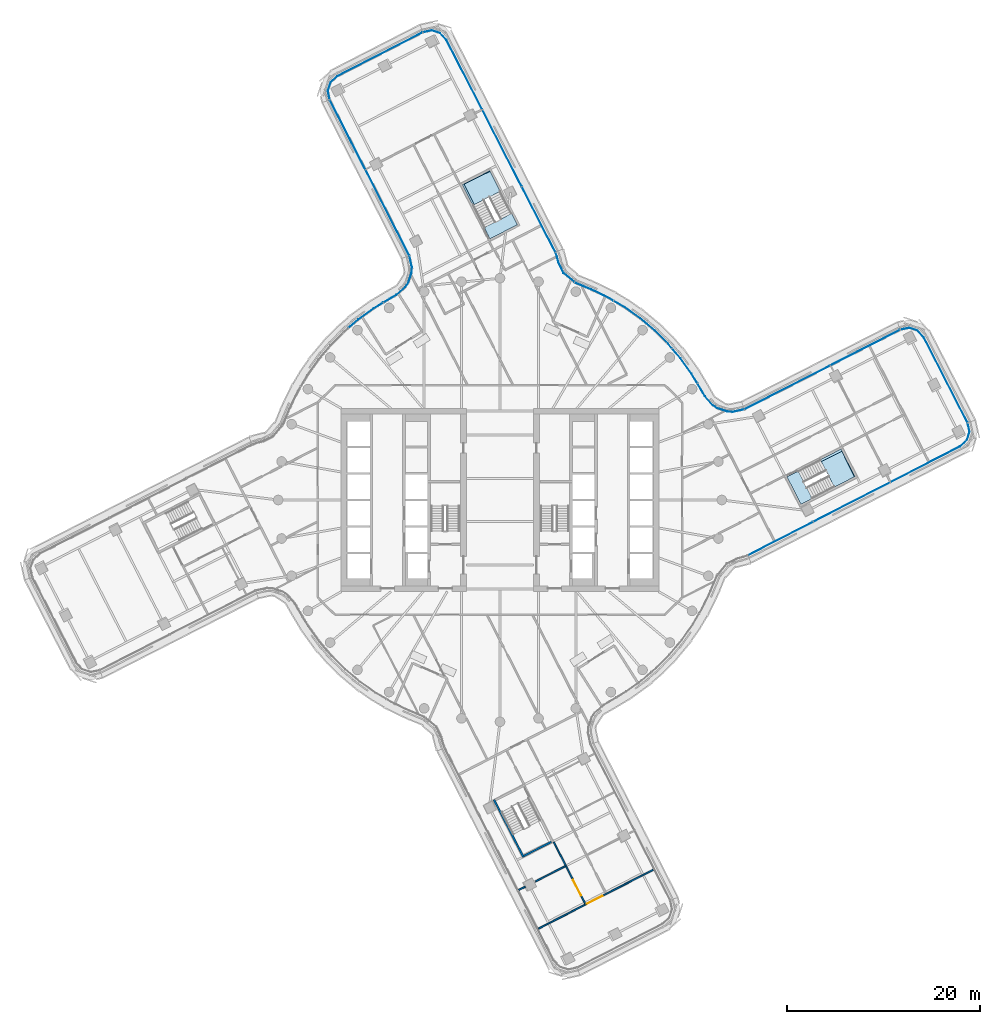
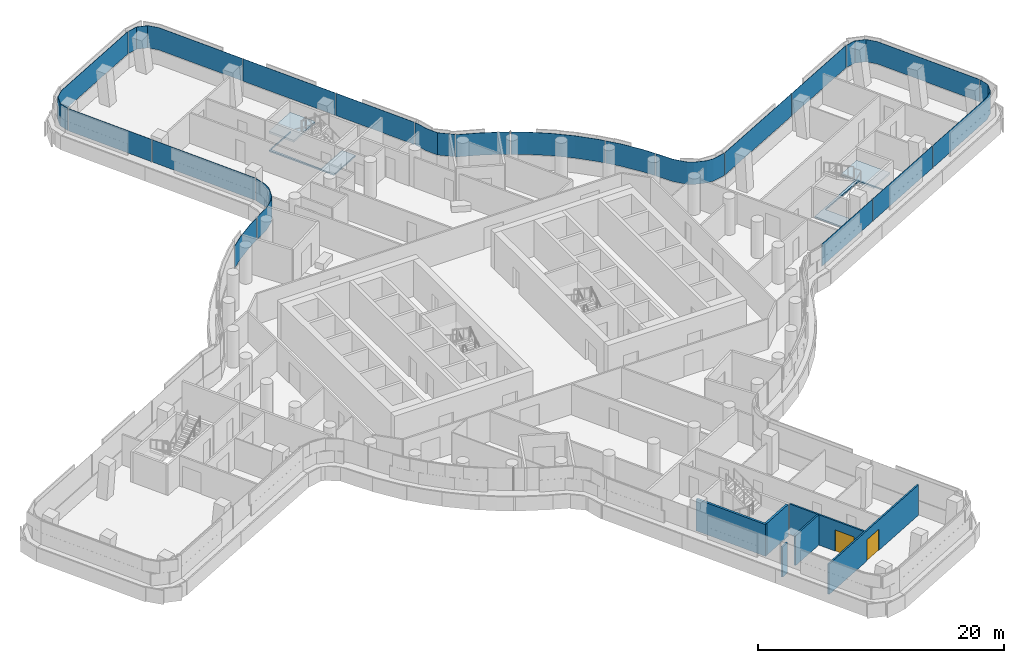
# One storey, part 21 of 37: 19 plates, 6 walls, 4 slabs, 2 doors, 2 openings, 10 elements without a shape of their own.
"""IFC4 building model written with IfcOpenShell, lengths in metres."""

from ifc_helpers import new_model, si_unit, direction, frame, frame_2d, origin, place, context, subcontext, project, spatial, polyline, rectangle, outline, extrude, material, layer, layer_set, type_object, element, fill, aggregate, save


model = new_model("IFC4")

# Units and contexts
model_context = context("Model", 3, precision=1e-05, world=origin(), true_north=direction((0.0, 1.0)))
body_context = subcontext(model_context, "Body", "Model", "MODEL_VIEW")
ifc_project = project(units=[si_unit("LENGTHUNIT", "METRE"), si_unit("AREAUNIT", "SQUARE_METRE"), si_unit("VOLUMEUNIT", "CUBIC_METRE"), si_unit("PLANEANGLEUNIT", "RADIAN"), si_unit("MASSUNIT", "GRAM", prefix="KILO")], contexts=[model_context])

# Site, building, storey
site_placement = place(None, origin())
site = spatial("IfcSite", under=ifc_project, at=site_placement, CompositionType="ELEMENT")
building_placement = place(site_placement, origin())
building = spatial("IfcBuilding", under=site, at=building_placement, Name="Tamarind Cross Interchange Tower", CompositionType="ELEMENT")
storey_placement = place(building_placement, frame((0.0, 0.0, 133.0)))
storey = spatial("IfcBuildingStorey", under=building, at=storey_placement, Name="L32", CompositionType="ELEMENT", Elevation=133.0)

# Slabs
ifc_material_1 = material(Name="Concrete C35", Category="concrete")
ifc_layer_1 = layer(ifc_material_1, 0.139892578125)
ifc_layer_set_1 = layer_set([ifc_layer_1], Name="Concrete C35")
slab_type_1 = type_object("IfcSlabType", Name="Composite slab 140 Concrete C35", PredefinedType="FLOOR", material=ifc_layer_set_1)
slab_1_placement = place(storey_placement, frame((0.0, 0.0, -0.139892578125)))
element("IfcSlab", 1, at=slab_1_placement, inside=storey, type_object=slab_type_1, Name="Floor slab L32", PredefinedType="FLOOR", context=body_context, shape_type="SweptSolid", body=[
    extrude(outline(polyline([(-1.037109375, 27.087646484375), (1.809814453125, 28.548583984375), (1.2109375, 29.7158203125), (-1.53369140625, 28.3076171875), (-3.7177734375, 32.76220703125), (-1.029052734375, 34.080810546875), (-1.06640625, 34.15380859375), (-3.91357421875, 32.692626953125), (-1.037109375, 27.087646484375)])), origin(), (0.0, 0.0, 1.0), 0.139892578125),
])
slab_2_placement = place(storey_placement, frame((0.0, 0.0, -0.139892578125)))
element("IfcSlab", 2, at=slab_2_placement, inside=storey, type_object=slab_type_1, Name="Floor slab L32", PredefinedType="FLOOR", context=body_context, shape_type="SweptSolid", body=[
    extrude(outline(polyline([(29.756591796875, 2.40673828125), (31.2177734375, -0.440185546875), (32.311767578125, 0.12109375), (32.385009765625, 0.15869140625), (31.001708984375, 2.8544921875), (35.4560546875, 5.03857421875), (36.750244140625, 2.39892578125), (36.82275390625, 2.43603515625), (35.36181640625, 5.283203125), (29.756591796875, 2.40673828125)])), origin(), (0.0, 0.0, 1.0), 0.139892578125),
])

# Stair, slab
ifc_material_2 = material(Name="Exit stair")
stair_type = type_object("IfcStairType", Name="Exit stair", PredefinedType="HALF_TURN_STAIR", material=ifc_material_2)
stair_1_placement = place(storey_placement, origin())
stair_1 = element("IfcStair", 3, at=stair_1_placement, inside=storey, type_object=stair_type, Name="L32 exit stair ST3", PredefinedType="HALF_TURN_STAIR")
ifc_material_3 = material(Name="Concrete C40", Category="concrete")
ifc_layer_2 = layer(ifc_material_3, 0.199951171875)
ifc_layer_set_2 = layer_set([ifc_layer_2], Name="Concrete C40")
slab_type_2 = type_object("IfcSlabType", Name="Stair landing", PredefinedType="LANDING", material=ifc_layer_set_2)
slab_3_placement = place(storey_placement, frame((0.0, 0.0, 1.675048828125)))
slab_3 = element("IfcSlab", 4, at=slab_3_placement, type_object=slab_type_2, Name="ST3 landing 1", PredefinedType="LANDING", context=body_context, shape_type="SweptSolid", body=[
    extrude(outline(polyline([(34.6767578125, 1.3349609375), (36.82275390625, 2.43603515625), (35.36181640625, 5.283203125), (33.2158203125, 4.181884765625), (34.6767578125, 1.3349609375)])), origin(), (0.0, 0.0, 1.0), 0.199951171875),
])
aggregate(stair_1, [slab_3])

stair_2_placement = place(storey_placement, origin())
stair_2 = element("IfcStair", 5, at=stair_2_placement, inside=storey, type_object=stair_type, Name="L32 exit stair ST4", PredefinedType="HALF_TURN_STAIR")
slab_4_placement = place(storey_placement, frame((0.0, 0.0, 1.675048828125)))
slab_4 = element("IfcSlab", 6, at=slab_4_placement, type_object=slab_type_2, Name="ST4 landing 1", PredefinedType="LANDING", context=body_context, shape_type="SweptSolid", body=[
    extrude(outline(polyline([(0.03466796875, 32.0078125), (-1.06640625, 34.15380859375), (-3.91357421875, 32.692626953125), (-2.812255859375, 30.546875), (0.03466796875, 32.0078125)])), origin(), (0.0, 0.0, 1.0), 0.199951171875),
])
aggregate(stair_2, [slab_4])

# Curtain wall, plates
ifc_material_4 = material(Name="Aluminium 6063-T6", Category="aluminium")
ifc_layer_3 = layer(ifc_material_4, 0.159912109375)
ifc_layer_set_3 = layer_set([ifc_layer_3], Name="Aluminium 6063-T6")
curtain_wall_type_1 = type_object("IfcCurtainWallType", Name="Office curtain wall, 9.0 m bays", PredefinedType="NOTDEFINED", material=ifc_layer_set_3)
curtain_wall_1_placement = place(storey_placement, origin())
curtain_wall_1 = element("IfcCurtainWall", 7, at=curtain_wall_1_placement, inside=storey, type_object=curtain_wall_type_1, Name="CWS-L32-07", PredefinedType="NOTDEFINED")
ifc_material_5 = material(Name="Laminated low-e glass 8+1.52+8", Category="glass")
ifc_layer_4 = layer(ifc_material_5, 0.028076171875)
ifc_layer_set_4 = layer_set([ifc_layer_4], Name="Laminated low-e glass 8+1.52+8")
plate_type_1 = type_object("IfcPlateType", Name="Vision panel CW1", PredefinedType="CURTAIN_PANEL", material=ifc_layer_set_4)
plate_1_placement = place(storey_placement, frame((0.0, 0.0, 1.39990234375)))
plate_1 = element("IfcPlate", 8, at=plate_1_placement, type_object=plate_type_1, Name="CWP-L32-07-00", PredefinedType="CURTAIN_PANEL", context=body_context, shape_type="SweptSolid", body=[
    extrude(outline(polyline([(25.72216796875, -5.71728515625), (32.456787109375, -2.261474609375), (32.469482421875, -2.286376953125), (25.73486328125, -5.7421875), (25.72216796875, -5.71728515625)])), origin(), (0.0, 0.0, 1.0), 2.210205078125),
])
plate_2_placement = place(storey_placement, frame((0.0, 0.0, 1.39990234375)))
plate_2 = element("IfcPlate", 9, at=plate_2_placement, type_object=plate_type_1, Name="CWP-L32-07-01", PredefinedType="CURTAIN_PANEL", context=body_context, shape_type="SweptSolid", body=[
    extrude(outline(polyline([(32.51025390625, -2.23388671875), (40.451171875, 1.841064453125), (40.464111328125, 1.816162109375), (32.52294921875, -2.2587890625), (32.51025390625, -2.23388671875)])), origin(), (0.0, 0.0, 1.0), 2.210205078125),
])
plate_3_placement = place(storey_placement, frame((0.0, 0.0, 1.39990234375)))
plate_3 = element("IfcPlate", 10, at=plate_3_placement, type_object=plate_type_1, Name="CWP-L32-07-02", PredefinedType="CURTAIN_PANEL", context=body_context, shape_type="SweptSolid", body=[
    extrude(outline(polyline([(40.504638671875, 1.868408203125), (47.699951171875, 5.560546875), (48.40380859375, 6.1982421875), (48.685791015625, 7.074462890625), (48.491455078125, 7.975341796875), (48.51904296875, 7.9814453125), (48.714599609375, 7.072998046875), (48.42822265625, 6.182373046875), (47.7158203125, 5.537353515625), (40.517333984375, 1.843505859375), (40.504638671875, 1.868408203125)])), origin(), (0.0, 0.0, 1.0), 2.210205078125),
])
aggregate(curtain_wall_1, [plate_1, plate_2, plate_3])

# Curtain wall, plate
curtain_wall_2_placement = place(storey_placement, origin())
curtain_wall_2 = element("IfcCurtainWall", 11, at=curtain_wall_2_placement, inside=storey, type_object=curtain_wall_type_1, Name="CWS-L32-08", PredefinedType="NOTDEFINED")
plate_4_placement = place(storey_placement, frame((0.0, 0.0, 1.39990234375)))
plate_4 = element("IfcPlate", 12, at=plate_4_placement, type_object=plate_type_1, Name="CWP-L32-08-00", PredefinedType="CURTAIN_PANEL", context=body_context, shape_type="SweptSolid", body=[
    extrude(outline(polyline([(48.47265625, 8.028076171875), (43.94580078125, 16.849853515625), (43.308349609375, 17.5537109375), (42.431884765625, 17.835693359375), (41.53076171875, 17.6416015625), (41.52490234375, 17.6689453125), (42.433349609375, 17.86474609375), (43.323974609375, 17.578125), (43.968994140625, 16.865966796875), (48.497802734375, 8.040771484375), (48.47265625, 8.028076171875)])), origin(), (0.0, 0.0, 1.0), 2.210205078125),
])
aggregate(curtain_wall_2, [plate_4])

# Curtain wall, plates
curtain_wall_3_placement = place(storey_placement, origin())
curtain_wall_3 = element("IfcCurtainWall", 13, at=curtain_wall_3_placement, inside=storey, type_object=curtain_wall_type_1, Name="CWS-L32-09", PredefinedType="NOTDEFINED")
plate_5_placement = place(storey_placement, frame((0.0, 0.0, 1.39990234375)))
plate_5 = element("IfcPlate", 14, at=plate_5_placement, type_object=plate_type_1, Name="CWP-L32-09-00", PredefinedType="CURTAIN_PANEL", context=body_context, shape_type="SweptSolid", body=[
    extrude(outline(polyline([(41.478271484375, 17.622802734375), (34.289306640625, 13.951171875), (34.276611328125, 13.97607421875), (41.465576171875, 17.647705078125), (41.478271484375, 17.622802734375)])), origin(), (0.0, 0.0, 1.0), 2.210205078125),
])
plate_6_placement = place(storey_placement, frame((0.0, 0.0, 1.39990234375)))
plate_6 = element("IfcPlate", 15, at=plate_6_placement, type_object=plate_type_1, Name="CWP-L32-09-01", PredefinedType="CURTAIN_PANEL", context=body_context, shape_type="SweptSolid", body=[
    extrude(outline(polyline([(34.236083984375, 13.923828125), (25.367919921875, 9.39453125), (25.35498046875, 9.41943359375), (34.22314453125, 13.94873046875), (34.236083984375, 13.923828125)])), origin(), (0.0, 0.0, 1.0), 2.210205078125),
])
aggregate(curtain_wall_3, [plate_5, plate_6])

curtain_wall_4_placement = place(storey_placement, origin())
curtain_wall_4 = element("IfcCurtainWall", 16, at=curtain_wall_4_placement, inside=storey, type_object=curtain_wall_type_1, Name="CWS-L32-11", PredefinedType="NOTDEFINED")
plate_7_placement = place(storey_placement, frame((0.0, 0.0, 1.39990234375)))
plate_7 = element("IfcPlate", 17, at=plate_7_placement, type_object=plate_type_1, Name="CWP-L32-11-00", PredefinedType="CURTAIN_PANEL", context=body_context, shape_type="SweptSolid", body=[
    extrude(outline(polyline([(5.71728515625, 25.72216796875), (2.261474609375, 32.456787109375), (2.286376953125, 32.469482421875), (5.7421875, 25.73486328125), (5.71728515625, 25.72216796875)])), origin(), (0.0, 0.0, 1.0), 2.210205078125),
])
plate_8_placement = place(storey_placement, frame((0.0, 0.0, 1.39990234375)))
plate_8 = element("IfcPlate", 18, at=plate_8_placement, type_object=plate_type_1, Name="CWP-L32-11-01", PredefinedType="CURTAIN_PANEL", context=body_context, shape_type="SweptSolid", body=[
    extrude(outline(polyline([(2.23388671875, 32.51025390625), (-1.841064453125, 40.451171875), (-1.816162109375, 40.464111328125), (2.2587890625, 32.52294921875), (2.23388671875, 32.51025390625)])), origin(), (0.0, 0.0, 1.0), 2.210205078125),
])
plate_9_placement = place(storey_placement, frame((0.0, 0.0, 1.39990234375)))
plate_9 = element("IfcPlate", 19, at=plate_9_placement, type_object=plate_type_1, Name="CWP-L32-11-02", PredefinedType="CURTAIN_PANEL", context=body_context, shape_type="SweptSolid", body=[
    extrude(outline(polyline([(-1.868408203125, 40.504638671875), (-5.560546875, 47.699951171875), (-6.1982421875, 48.40380859375), (-7.074462890625, 48.685791015625), (-7.975341796875, 48.491455078125), (-7.9814453125, 48.51904296875), (-7.072998046875, 48.714599609375), (-6.182373046875, 48.42822265625), (-5.537353515625, 47.7158203125), (-1.843505859375, 40.517333984375), (-1.868408203125, 40.504638671875)])), origin(), (0.0, 0.0, 1.0), 2.210205078125),
])
aggregate(curtain_wall_4, [plate_7, plate_8, plate_9])

# Curtain wall, plate
curtain_wall_5_placement = place(storey_placement, origin())
curtain_wall_5 = element("IfcCurtainWall", 20, at=curtain_wall_5_placement, inside=storey, type_object=curtain_wall_type_1, Name="CWS-L32-12", PredefinedType="NOTDEFINED")
plate_10_placement = place(storey_placement, frame((0.0, 0.0, 1.39990234375)))
plate_10 = element("IfcPlate", 21, at=plate_10_placement, type_object=plate_type_1, Name="CWP-L32-12-00", PredefinedType="CURTAIN_PANEL", context=body_context, shape_type="SweptSolid", body=[
    extrude(outline(polyline([(-8.028076171875, 48.47265625), (-16.849853515625, 43.94580078125), (-17.5537109375, 43.308349609375), (-17.835693359375, 42.431884765625), (-17.6416015625, 41.53076171875), (-17.6689453125, 41.52490234375), (-17.86474609375, 42.433349609375), (-17.578125, 43.323974609375), (-16.865966796875, 43.968994140625), (-8.040771484375, 48.497802734375), (-8.028076171875, 48.47265625)])), origin(), (0.0, 0.0, 1.0), 2.210205078125),
])
aggregate(curtain_wall_5, [plate_10])

# Curtain wall, plates
curtain_wall_6_placement = place(storey_placement, origin())
curtain_wall_6 = element("IfcCurtainWall", 22, at=curtain_wall_6_placement, inside=storey, type_object=curtain_wall_type_1, Name="CWS-L32-13", PredefinedType="NOTDEFINED")
plate_11_placement = place(storey_placement, frame((0.0, 0.0, 1.39990234375)))
plate_11 = element("IfcPlate", 23, at=plate_11_placement, type_object=plate_type_1, Name="CWP-L32-13-00", PredefinedType="CURTAIN_PANEL", context=body_context, shape_type="SweptSolid", body=[
    extrude(outline(polyline([(-17.622802734375, 41.478271484375), (-13.951171875, 34.289306640625), (-13.97607421875, 34.276611328125), (-17.647705078125, 41.465576171875), (-17.622802734375, 41.478271484375)])), origin(), (0.0, 0.0, 1.0), 2.210205078125),
])
plate_12_placement = place(storey_placement, frame((0.0, 0.0, 1.39990234375)))
plate_12 = element("IfcPlate", 24, at=plate_12_placement, type_object=plate_type_1, Name="CWP-L32-13-01", PredefinedType="CURTAIN_PANEL", context=body_context, shape_type="SweptSolid", body=[
    extrude(outline(polyline([(-13.923828125, 34.236083984375), (-9.39453125, 25.367919921875), (-9.41943359375, 25.35498046875), (-13.94873046875, 34.22314453125), (-13.923828125, 34.236083984375)])), origin(), (0.0, 0.0, 1.0), 2.210205078125),
])
aggregate(curtain_wall_6, [plate_11, plate_12])

ifc_layer_5 = layer(ifc_material_4, 0.14990234375)
ifc_layer_set_5 = layer_set([ifc_layer_5], Name="Aluminium 6063-T6")
curtain_wall_type_2 = type_object("IfcCurtainWallType", Name="Winter garden and crown curtain wall", PredefinedType="NOTDEFINED", material=ifc_layer_set_5)
curtain_wall_7_placement = place(storey_placement, origin())
curtain_wall_7 = element("IfcCurtainWall", 25, at=curtain_wall_7_placement, inside=storey, type_object=curtain_wall_type_2, Name="CWS-L32-10", PredefinedType="NOTDEFINED")
ifc_layer_6 = layer(ifc_material_5, 0.030029296875)
ifc_layer_set_6 = layer_set([ifc_layer_6], Name="Laminated low-e glass 8+1.52+8")
plate_type_2 = type_object("IfcPlateType", Name="Vision panel CW6", PredefinedType="CURTAIN_PANEL", material=ifc_layer_set_6)
plate_13_placement = place(storey_placement, frame((0.0, 0.0, 1.39990234375)))
plate_13 = element("IfcPlate", 26, at=plate_13_placement, type_object=plate_type_2, Name="CWP-L32-10-00", PredefinedType="CURTAIN_PANEL", context=body_context, shape_type="SweptSolid", body=[
    extrude(outline(polyline([(25.30859375, 9.37255859375), (24.13720703125, 9.1240234375), (23.566162109375, 9.156005859375), (22.5263671875, 9.501708984375), (22.0498046875, 9.81787109375), (21.243408203125, 10.73779296875), (20.86865234375, 11.4033203125), (20.461669921875, 12.079833984375), (20.4873046875, 12.09521484375), (20.89453125, 11.41845703125), (21.26806640625, 10.75537109375), (22.06982421875, 9.8408203125), (22.53955078125, 9.52880859375), (23.57177734375, 9.185791015625), (24.134765625, 9.154052734375), (25.30224609375, 9.40185546875), (25.30859375, 9.37255859375)])), origin(), (0.0, 0.0, 1.0), 2.210205078125),
])
plate_14_placement = place(storey_placement, frame((0.0, 0.0, 1.39990234375)))
plate_14 = element("IfcPlate", 27, at=plate_14_placement, type_object=plate_type_2, Name="CWP-L32-10-01", PredefinedType="CURTAIN_PANEL", context=body_context, shape_type="SweptSolid", body=[
    extrude(outline(polyline([(20.4306640625, 12.131103515625), (19.852294921875, 13.09228515625), (18.703369140625, 14.68701171875), (17.845458984375, 15.691162109375), (17.868408203125, 15.710693359375), (18.72705078125, 14.70556640625), (19.87744140625, 13.10888671875), (20.456298828125, 12.146728515625), (20.4306640625, 12.131103515625)])), origin(), (0.0, 0.0, 1.0), 2.210205078125),
])
plate_15_placement = place(storey_placement, frame((0.0, 0.0, 1.39990234375)))
plate_15 = element("IfcPlate", 28, at=plate_15_placement, type_object=plate_type_2, Name="CWP-L32-10-02", PredefinedType="CURTAIN_PANEL", context=body_context, shape_type="SweptSolid", body=[
    extrude(outline(polyline([(17.806640625, 15.73681640625), (17.426513671875, 16.181396484375), (16.03076171875, 17.565185546875), (14.525634765625, 18.8291015625), (12.921142578125, 19.96435546875), (11.802734375, 20.6240234375), (11.81787109375, 20.64990234375), (12.937255859375, 19.989501953125), (14.5439453125, 18.852783203125), (16.051025390625, 17.58740234375), (17.448486328125, 16.201904296875), (17.829345703125, 15.756103515625), (17.806640625, 15.73681640625)])), origin(), (0.0, 0.0, 1.0), 2.210205078125),
])
plate_16_placement = place(storey_placement, frame((0.0, 0.0, 1.39990234375)))
plate_16 = element("IfcPlate", 29, at=plate_16_placement, type_object=plate_type_2, Name="CWP-L32-10-03", PredefinedType="CURTAIN_PANEL", context=body_context, shape_type="SweptSolid", body=[
    extrude(outline(polyline([(11.7509765625, 20.654541015625), (11.228271484375, 20.963134765625), (9.456787109375, 21.81982421875), (7.84716796875, 22.480712890625), (7.75, 22.561279296875), (7.769287109375, 22.58447265625), (7.86279296875, 22.506591796875), (9.468994140625, 21.84716796875), (11.242431640625, 20.989501953125), (11.766357421875, 20.680419921875), (11.7509765625, 20.654541015625)])), origin(), (0.0, 0.0, 1.0), 2.210205078125),
])
plate_17_placement = place(storey_placement, frame((0.0, 0.0, 1.39990234375)))
plate_17 = element("IfcPlate", 30, at=plate_17_placement, type_object=plate_type_2, Name="CWP-L32-10-04", PredefinedType="CURTAIN_PANEL", context=body_context, shape_type="SweptSolid", body=[
    extrude(outline(polyline([(7.703857421875, 22.599609375), (6.584228515625, 23.531005859375), (6.070068359375, 24.571533203125), (5.8974609375, 25.22607421875), (5.739501953125, 25.66845703125), (5.767578125, 25.6787109375), (5.92626953125, 25.235107421875), (6.09814453125, 24.58203125), (6.608154296875, 23.550048828125), (7.72314453125, 22.622802734375), (7.703857421875, 22.599609375)])), origin(), (0.0, 0.0, 1.0), 2.210205078125),
])
aggregate(curtain_wall_7, [plate_13, plate_14, plate_15, plate_16, plate_17])

curtain_wall_8_placement = place(storey_placement, origin())
curtain_wall_8 = element("IfcCurtainWall", 31, at=curtain_wall_8_placement, inside=storey, type_object=curtain_wall_type_2, Name="CWS-L32-14", PredefinedType="NOTDEFINED")
plate_18_placement = place(storey_placement, frame((0.0, 0.0, 1.39990234375)))
plate_18 = element("IfcPlate", 32, at=plate_18_placement, type_object=plate_type_2, Name="CWP-L32-14-00", PredefinedType="CURTAIN_PANEL", context=body_context, shape_type="SweptSolid", body=[
    extrude(outline(polyline([(-9.37255859375, 25.30859375), (-9.1240234375, 24.13720703125), (-9.156005859375, 23.566162109375), (-9.501708984375, 22.5263671875), (-9.81787109375, 22.0498046875), (-10.73779296875, 21.243408203125), (-11.4033203125, 20.86865234375), (-12.079833984375, 20.461669921875), (-12.09521484375, 20.4873046875), (-11.41845703125, 20.89453125), (-10.75537109375, 21.26806640625), (-9.8408203125, 22.06982421875), (-9.52880859375, 22.53955078125), (-9.185791015625, 23.57177734375), (-9.154052734375, 24.134765625), (-9.40185546875, 25.30224609375), (-9.37255859375, 25.30859375)])), origin(), (0.0, 0.0, 1.0), 2.210205078125),
])
plate_19_placement = place(storey_placement, frame((0.0, 0.0, 1.39990234375)))
plate_19 = element("IfcPlate", 33, at=plate_19_placement, type_object=plate_type_2, Name="CWP-L32-14-01", PredefinedType="CURTAIN_PANEL", context=body_context, shape_type="SweptSolid", body=[
    extrude(outline(polyline([(-12.131103515625, 20.4306640625), (-13.09228515625, 19.852294921875), (-14.68701171875, 18.703369140625), (-15.691162109375, 17.845458984375), (-15.710693359375, 17.868408203125), (-14.70556640625, 18.72705078125), (-13.10888671875, 19.87744140625), (-12.146728515625, 20.456298828125), (-12.131103515625, 20.4306640625)])), origin(), (0.0, 0.0, 1.0), 2.210205078125),
])
aggregate(curtain_wall_8, [plate_18, plate_19])

# Wall, opening, door
ifc_material_6 = material(Name="Gypsum board partition on steel studs", Category="steel")
ifc_layer_7 = layer(ifc_material_6, 0.14990234375)
ifc_layer_set_7 = layer_set([ifc_layer_7], Name="Gypsum board partition on steel studs")
wall_type_1 = type_object("IfcWallType", Name="Partition 150 mm EI 120", PredefinedType="PARTITIONING", material=ifc_layer_set_7)
wall_1_placement = place(storey_placement, frame((5.571533203125, -35.48388671875, 0.0), z_axis=(0.0, 0.0, 1.0), x_axis=(0.456649146852, -0.889646871899, 0.0)))
wall_1 = element("IfcWall", 34, at=wall_1_placement, inside=storey, type_object=wall_type_1, Name="Partition L32-021", PredefinedType="PARTITIONING", context=body_context, shape_type="SweptSolid", body=[
    extrude(rectangle(XDim=7.184326171875, YDim=0.14990234375, at=frame_2d((3.59228515625, 0.0))), origin(), (0.0, 0.0, 1.0), 3.010009765625),
])
opening_1_placement = place(wall_1_placement, frame((4.41015625, 0.0, 0.0)))
opening_1 = element("IfcOpeningElement", 35, at=opening_1_placement, cuts=wall_1, Name="Opening D12", PredefinedType="OPENING", context=body_context, shape_type="SweptSolid", body=[
    extrude(rectangle(XDim=1.800048828125, YDim=2.10009765625, at=frame_2d((0.89990234375, 1.050048828125))), frame((0.0, 0.0849609375, 0.0), z_axis=(0.0, -1.0, 0.0), x_axis=(1.0, 0.0, 0.0)), (0.0, 0.0, 1.0), 0.169921875),
])
ifc_material_7 = material(Name="Fire-resisting door set")
door_type = type_object("IfcDoorType", Name="Interior door 1800 x 2100 FD60S", OperationType="DOUBLE_DOOR_SINGLE_SWING", PredefinedType="DOOR", material=ifc_material_7)
door_1_placement = place(opening_1_placement, frame((1.800048828125, 0.0, 0.0), z_axis=(0.0, 0.0, 1.0), x_axis=(-1.0, 0.0, 0.0)))
door_1 = element("IfcDoor", 36, at=door_1_placement, inside=storey, type_object=door_type, Name="Door D12", OperationType="DOUBLE_DOOR_SINGLE_SWING", OverallHeight=2.10009765625, OverallWidth=1.800048828125, PredefinedType="DOOR", context=body_context, shape_type="SweptSolid", body=[
    extrude(rectangle(XDim=1.800048828125, YDim=2.10009765625, at=frame_2d((0.89990234375, 1.050048828125))), frame((0.0, 0.02490234375, 0.0), z_axis=(0.0, -1.0, 0.0), x_axis=(1.0, 0.0, 0.0)), (0.0, 0.0, 1.0), 0.050048828125),
])
fill(opening_1, door_1)

# Walls
wall_2_placement = place(storey_placement, frame((1.938232421875, -40.4501953125, 0.0), z_axis=(0.0, 0.0, 1.0), x_axis=(0.889784233191, 0.456381439549, 0.0)))
element("IfcWall", 37, at=wall_2_placement, inside=storey, type_object=wall_type_1, Name="Partition L32-057", PredefinedType="PARTITIONING", context=body_context, shape_type="SweptSolid", body=[
    extrude(rectangle(XDim=0.764892578125, YDim=0.14990234375, at=frame_2d((0.38232421875, 0.0))), origin(), (0.0, 0.0, 1.0), 3.010009765625),
])
wall_3_placement = place(storey_placement, frame((3.6826171875, -39.555419921875, 0.0), z_axis=(0.0, 0.0, 1.0), x_axis=(0.889712502977, 0.456521261331, 0.0)))
element("IfcWall", 38, at=wall_3_placement, inside=storey, type_object=wall_type_1, Name="Partition L32-058", PredefinedType="PARTITIONING", context=body_context, shape_type="SweptSolid", body=[
    extrude(rectangle(XDim=3.4638671875, YDim=0.14990234375, at=frame_2d((1.73193359375, 0.0))), origin(), (0.0, 0.0, 1.0), 3.010009765625),
])

# Wall, opening, door
wall_4_placement = place(storey_placement, frame((3.99267578125, -44.45361328125, 0.0), z_axis=(0.0, 0.0, 1.0), x_axis=(0.889693799485, 0.456557710655, 0.0)))
wall_4 = element("IfcWall", 39, at=wall_4_placement, inside=storey, type_object=wall_type_1, Name="Partition L32-061", PredefinedType="PARTITIONING", context=body_context, shape_type="SweptSolid", body=[
    extrude(rectangle(XDim=13.405029296875, YDim=0.14990234375, at=frame_2d((6.70263671875, 0.0))), origin(), (0.0, 0.0, 1.0), 3.010009765625),
])
opening_2_placement = place(wall_4_placement, frame((5.64892578125, 0.0, 0.0)))
opening_2 = element("IfcOpeningElement", 40, at=opening_2_placement, cuts=wall_4, Name="Opening D34", PredefinedType="OPENING", context=body_context, shape_type="SweptSolid", body=[
    extrude(rectangle(XDim=1.800048828125, YDim=2.10009765625, at=frame_2d((0.89990234375, 1.050048828125))), frame((0.0, 0.0849609375, 0.0), z_axis=(0.0, -1.0, 0.0), x_axis=(1.0, 0.0, 0.0)), (0.0, 0.0, 1.0), 0.169921875),
])
door_2_placement = place(opening_2_placement, frame((1.800048828125, 0.0, 0.0), z_axis=(0.0, 0.0, 1.0), x_axis=(-1.0, 0.0, 0.0)))
door_2 = element("IfcDoor", 41, at=door_2_placement, inside=storey, type_object=door_type, Name="Door D34", OperationType="DOUBLE_DOOR_SINGLE_SWING", OverallHeight=2.10009765625, OverallWidth=1.800048828125, PredefinedType="DOOR", context=body_context, shape_type="SweptSolid", body=[
    extrude(rectangle(XDim=1.800048828125, YDim=2.10009765625, at=frame_2d((0.89990234375, 1.050048828125))), frame((0.0, 0.02490234375, 0.0), z_axis=(0.0, -1.0, 0.0), x_axis=(1.0, 0.0, 0.0)), (0.0, 0.0, 1.0), 0.050048828125),
])
fill(opening_2, door_2)

# Walls
ifc_layer_8 = layer(ifc_material_3, 0.199951171875)
ifc_layer_set_8 = layer_set([ifc_layer_8], Name="Concrete C40")
wall_type_2 = type_object("IfcWallType", Name="Stair shaft wall 200 mm Concrete C40", PredefinedType="SHEAR", material=ifc_layer_set_8)
wall_5_placement = place(storey_placement, frame((-0.62060546875, -31.08544921875, -0.139892578125), z_axis=(0.0, 0.0, 1.0), x_axis=(0.456575549033, -0.889684645268, 0.0)))
element("IfcWall", 42, at=wall_5_placement, inside=storey, type_object=wall_type_2, Name="Core wall CWL-L32-ST6-C", PredefinedType="SHEAR", context=body_context, shape_type="SweptSolid", body=[
    extrude(rectangle(XDim=6.699951171875, YDim=0.199951171875, at=frame_2d((3.35009765625, 0.0))), origin(), (0.0, 0.0, 1.0), 3.14990234375),
])
wall_6_placement = place(storey_placement, frame((0.0, 0.0, -0.139892578125)))
element("IfcWall", 43, at=wall_6_placement, inside=storey, type_object=wall_type_2, Name="Core wall CWL-L32-ST6-CF", PredefinedType="SHEAR", context=body_context, shape_type="SweptSolid", body=[
    extrude(outline(polyline([(2.43603515625, -36.82275390625), (2.52734375, -37.000732421875), (5.37451171875, -35.539794921875), (5.283203125, -35.36181640625), (2.43603515625, -36.82275390625)])), origin(), (0.0, 0.0, 1.0), 3.14990234375),
])

save(model, "model.ifc")
